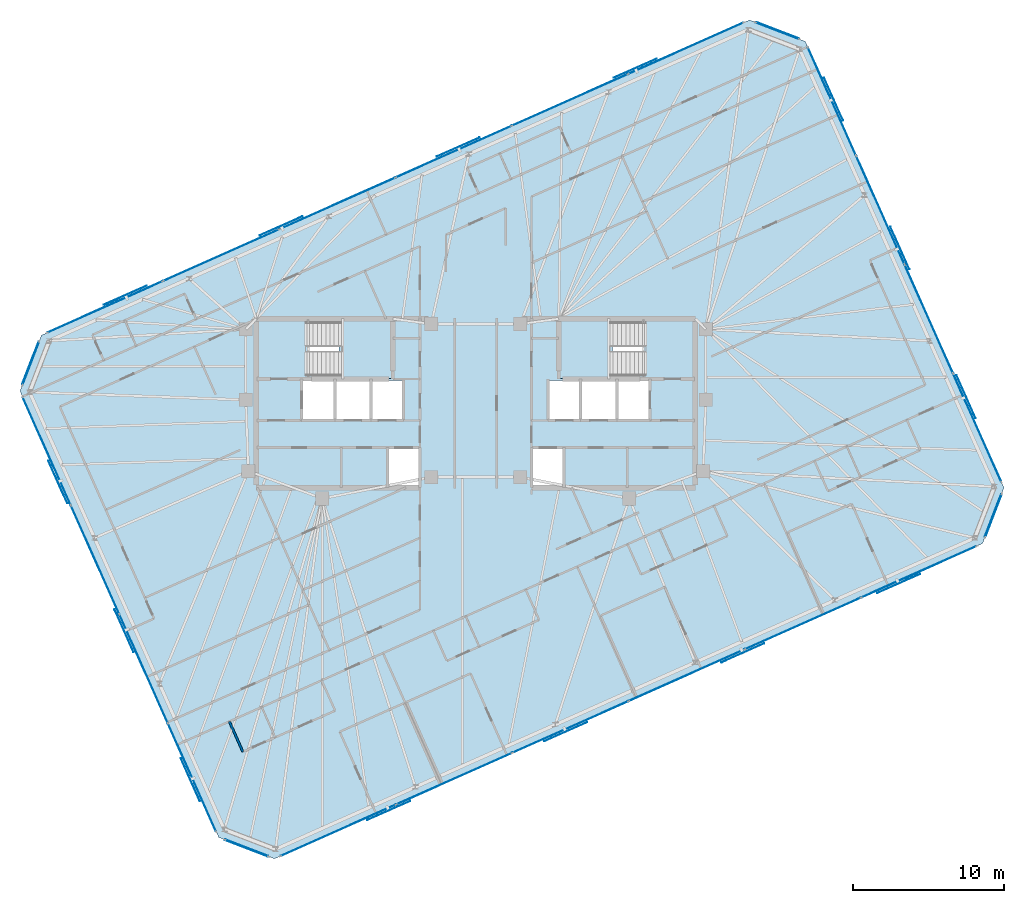
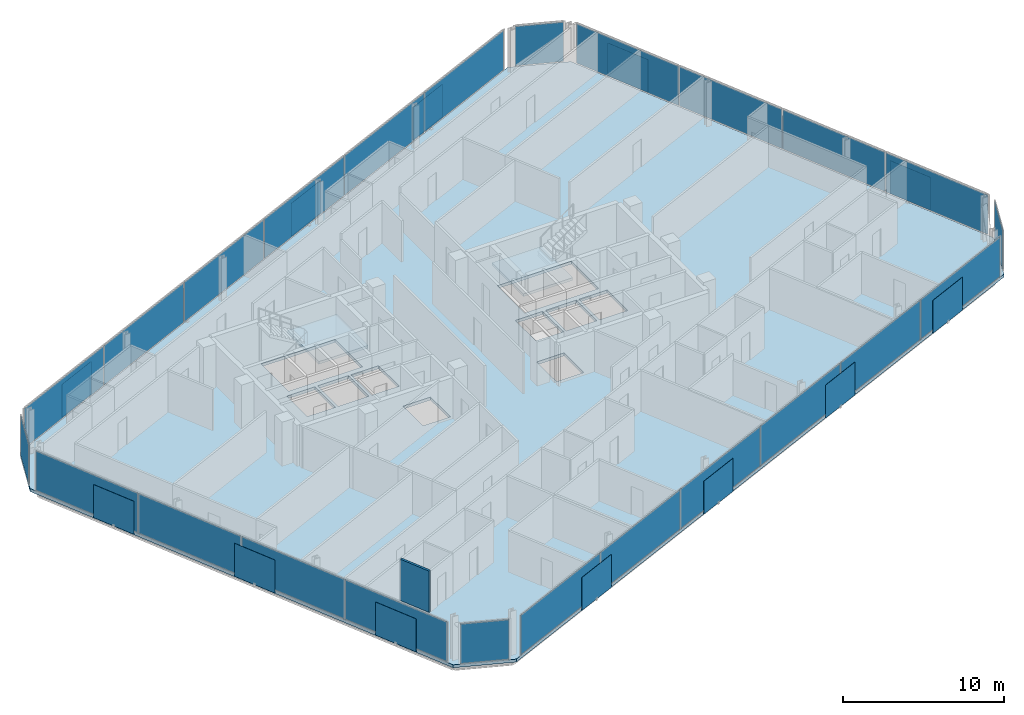
# One storey, part 12 of 19: 38 plates, 3 slabs, 1 wall, 10 elements without a shape of their own.
"""IFC4 building model written with IfcOpenShell, lengths in metres."""

from ifc_helpers import new_model, si_unit, direction, frame, frame_2d, origin, origin_2d, place, context, subcontext, project, spatial, polyline, rectangle, outline, extrude, material, layer, layer_set, type_object, element, aggregate, save


model = new_model("IFC4")

# Units and contexts
model_context = context("Model", 3, precision=1e-05, world=origin(), true_north=direction((0.0, 1.0)))
body_context = subcontext(model_context, "Body", "Model", "MODEL_VIEW")
ifc_project = project(units=[si_unit("LENGTHUNIT", "METRE"), si_unit("AREAUNIT", "SQUARE_METRE"), si_unit("VOLUMEUNIT", "CUBIC_METRE"), si_unit("PLANEANGLEUNIT", "RADIAN"), si_unit("MASSUNIT", "GRAM", prefix="KILO")], contexts=[model_context])

# Site, building, storey
site_placement = place(None, origin())
site = spatial("IfcSite", under=ifc_project, at=site_placement, CompositionType="ELEMENT")
building_placement = place(site_placement, origin())
building = spatial("IfcBuilding", under=site, at=building_placement, Name="Menara Jurai Vektor", CompositionType="ELEMENT")
storey_placement = place(building_placement, frame((0.0, 0.0, 295.300048828125)))
storey = spatial("IfcBuildingStorey", under=building, at=storey_placement, Name="L79", CompositionType="ELEMENT", Elevation=295.300048828125)

# Curtain wall, plates
ifc_material_1 = material(Name="Anodised Pale Aluminium & Low-E Double Glazing", Category="aluminium")
curtain_wall_type = type_object("IfcCurtainWallType", Name="CW-BLK5", PredefinedType="NOTDEFINED", material=ifc_material_1)
curtain_wall_1_placement = place(storey_placement, origin())
curtain_wall_1 = element("IfcCurtainWall", 1, at=curtain_wall_1_placement, inside=storey, type_object=curtain_wall_type, Name="Unitised Curtain Wall L79 F01", PredefinedType="NOTDEFINED")
ifc_material_2 = material(Name="Low-E Solar-Control Double Glazed Unit", Category="glass")
ifc_layer_1 = layer(ifc_material_2, 0.028076171875)
ifc_layer_set_1 = layer_set([ifc_layer_1], Name="Low-E Solar-Control Double Glazed Unit")
plate_type_1 = type_object("IfcPlateType", Name="CW-BLK5-PNL", PredefinedType="CURTAIN_PANEL", material=ifc_layer_set_1)
plate_1_placement = place(storey_placement, frame((-9.130615234375, -28.331787109375, 0.074951171875), z_axis=(0.0, 0.0, 1.0), x_axis=(0.913545967158, 0.406735498684, 0.0)))
plate_1 = element("IfcPlate", 2, at=plate_1_placement, type_object=plate_type_1, Name="CW-05 panel 1.1", PredefinedType="CURTAIN_PANEL", context=body_context, shape_type="SweptSolid", body=[
    extrude(rectangle(XDim=8.327392578125, YDim=0.028076171875, at=origin_2d()), origin(), (0.0, 0.0, 1.0), 2.97509765625),
])
plate_2_placement = place(storey_placement, frame((-1.4375, -24.90673828125, 0.074951171875), z_axis=(0.0, 0.0, 1.0), x_axis=(0.913545967158, 0.406735498684, 0.0)))
plate_2 = element("IfcPlate", 3, at=plate_2_placement, type_object=plate_type_1, Name="CW-05 panel 2.1", PredefinedType="CURTAIN_PANEL", context=body_context, shape_type="SweptSolid", body=[
    extrude(rectangle(XDim=8.364990234375, YDim=0.028076171875, at=origin_2d()), origin(), (0.0, 0.0, 1.0), 2.97509765625),
])
plate_3_placement = place(storey_placement, frame((6.27294921875, -21.473876953125, 0.074951171875), z_axis=(0.0, 0.0, 1.0), x_axis=(0.913545967158, 0.406735498684, 0.0)))
plate_3 = element("IfcPlate", 4, at=plate_3_placement, type_object=plate_type_1, Name="CW-05 panel 3.1", PredefinedType="CURTAIN_PANEL", context=body_context, shape_type="SweptSolid", body=[
    extrude(rectangle(XDim=8.364990234375, YDim=0.028076171875, at=origin_2d()), origin(), (0.0, 0.0, 1.0), 2.97509765625),
])
plate_4_placement = place(storey_placement, frame((13.983154296875, -18.041015625, 0.074951171875), z_axis=(0.0, 0.0, 1.0), x_axis=(0.913545967158, 0.406735498684, 0.0)))
plate_4 = element("IfcPlate", 5, at=plate_4_placement, type_object=plate_type_1, Name="CW-05 panel 4.1", PredefinedType="CURTAIN_PANEL", context=body_context, shape_type="SweptSolid", body=[
    extrude(rectangle(XDim=8.364990234375, YDim=0.028076171875, at=origin_2d()), origin(), (0.0, 0.0, 1.0), 2.97509765625),
])
plate_5_placement = place(storey_placement, frame((21.693603515625, -14.608154296875, 0.074951171875), z_axis=(0.0, 0.0, 1.0), x_axis=(0.913545967158, 0.406735498684, 0.0)))
plate_5 = element("IfcPlate", 6, at=plate_5_placement, type_object=plate_type_1, Name="CW-05 panel 5.1", PredefinedType="CURTAIN_PANEL", context=body_context, shape_type="SweptSolid", body=[
    extrude(rectangle(XDim=8.364990234375, YDim=0.028076171875, at=origin_2d()), origin(), (0.0, 0.0, 1.0), 2.97509765625),
])
plate_6_placement = place(storey_placement, frame((29.38671875, -11.182861328125, 0.074951171875), z_axis=(0.0, 0.0, 1.0), x_axis=(0.913545967158, 0.406735498684, 0.0)))
plate_6 = element("IfcPlate", 7, at=plate_6_placement, type_object=plate_type_1, Name="CW-05 panel 6.1", PredefinedType="CURTAIN_PANEL", context=body_context, shape_type="SweptSolid", body=[
    extrude(rectangle(XDim=8.327392578125, YDim=0.028076171875, at=origin_2d()), origin(), (0.0, 0.0, 1.0), 2.97509765625),
])
aggregate(curtain_wall_1, [plate_1, plate_2, plate_3, plate_4, plate_5, plate_6])

curtain_wall_2_placement = place(storey_placement, origin())
curtain_wall_2 = element("IfcCurtainWall", 8, at=curtain_wall_2_placement, inside=storey, type_object=curtain_wall_type, Name="Unitised Curtain Wall L79 F03", PredefinedType="NOTDEFINED")
plate_7_placement = place(storey_placement, frame((33.25439453125, -1.630126953125, 0.074951171875), z_axis=(0.0, 0.0, 1.0), x_axis=(-0.406735138086, 0.913546127706, 0.0)))
plate_7 = element("IfcPlate", 9, at=plate_7_placement, type_object=plate_type_1, Name="CW-05 panel 1.1", PredefinedType="CURTAIN_PANEL", context=body_context, shape_type="SweptSolid", body=[
    extrude(rectangle(XDim=7.797607421875, YDim=0.028076171875, at=origin_2d()), origin(), (0.0, 0.0, 1.0), 2.97509765625),
])
plate_8_placement = place(storey_placement, frame((30.044677734375, 5.578857421875, 0.074951171875), z_axis=(0.0, 0.0, 1.0), x_axis=(-0.406735138086, 0.913546127706, 0.0)))
plate_8 = element("IfcPlate", 10, at=plate_8_placement, type_object=plate_type_1, Name="CW-05 panel 2.1", PredefinedType="CURTAIN_PANEL", context=body_context, shape_type="SweptSolid", body=[
    extrude(rectangle(XDim=7.8349609375, YDim=0.028076171875, at=origin_2d()), origin(), (0.0, 0.0, 1.0), 2.97509765625),
])
plate_9_placement = place(storey_placement, frame((26.827392578125, 12.80517578125, 0.074951171875), z_axis=(0.0, 0.0, 1.0), x_axis=(-0.406735138086, 0.913546127706, 0.0)))
plate_9 = element("IfcPlate", 11, at=plate_9_placement, type_object=plate_type_1, Name="CW-05 panel 3.1", PredefinedType="CURTAIN_PANEL", context=body_context, shape_type="SweptSolid", body=[
    extrude(rectangle(XDim=7.8349609375, YDim=0.028076171875, at=origin_2d()), origin(), (0.0, 0.0, 1.0), 2.97509765625),
])
plate_10_placement = place(storey_placement, frame((23.61767578125, 20.01416015625, 0.074951171875), z_axis=(0.0, 0.0, 1.0), x_axis=(-0.406735138086, 0.913546127706, 0.0)))
plate_10 = element("IfcPlate", 12, at=plate_10_placement, type_object=plate_type_1, Name="CW-05 panel 4.1", PredefinedType="CURTAIN_PANEL", context=body_context, shape_type="SweptSolid", body=[
    extrude(rectangle(XDim=7.797607421875, YDim=0.028076171875, at=origin_2d()), origin(), (0.0, 0.0, 1.0), 2.97509765625),
])
aggregate(curtain_wall_2, [plate_7, plate_8, plate_9, plate_10])

curtain_wall_3_placement = place(storey_placement, origin())
curtain_wall_3 = element("IfcCurtainWall", 13, at=curtain_wall_3_placement, inside=storey, type_object=curtain_wall_type, Name="Unitised Curtain Wall L79 F05", PredefinedType="NOTDEFINED")
plate_11_placement = place(storey_placement, frame((13.9306640625, 23.53173828125, 0.074951171875), z_axis=(0.0, 0.0, 1.0), x_axis=(-0.913545967158, -0.406735498684, 0.0)))
plate_11 = element("IfcPlate", 14, at=plate_11_placement, type_object=plate_type_1, Name="CW-05 panel 1.1", PredefinedType="CURTAIN_PANEL", context=body_context, shape_type="SweptSolid", body=[
    extrude(rectangle(XDim=8.327392578125, YDim=0.028076171875, at=origin_2d()), origin(), (0.0, 0.0, 1.0), 2.97509765625),
])
plate_12_placement = place(storey_placement, frame((6.237548828125, 20.106689453125, 0.074951171875), z_axis=(0.0, 0.0, 1.0), x_axis=(-0.913545967158, -0.406735498684, 0.0)))
plate_12 = element("IfcPlate", 15, at=plate_12_placement, type_object=plate_type_1, Name="CW-05 panel 2.1", PredefinedType="CURTAIN_PANEL", context=body_context, shape_type="SweptSolid", body=[
    extrude(rectangle(XDim=8.364990234375, YDim=0.028076171875, at=origin_2d()), origin(), (0.0, 0.0, 1.0), 2.97509765625),
])
plate_13_placement = place(storey_placement, frame((-1.472900390625, 16.673828125, 0.074951171875), z_axis=(0.0, 0.0, 1.0), x_axis=(-0.913545967158, -0.406735498684, 0.0)))
plate_13 = element("IfcPlate", 16, at=plate_13_placement, type_object=plate_type_1, Name="CW-05 panel 3.1", PredefinedType="CURTAIN_PANEL", context=body_context, shape_type="SweptSolid", body=[
    extrude(rectangle(XDim=8.364990234375, YDim=0.028076171875, at=origin_2d()), origin(), (0.0, 0.0, 1.0), 2.97509765625),
])
plate_14_placement = place(storey_placement, frame((-9.18310546875, 13.240966796875, 0.074951171875), z_axis=(0.0, 0.0, 1.0), x_axis=(-0.913545967158, -0.406735498684, 0.0)))
plate_14 = element("IfcPlate", 17, at=plate_14_placement, type_object=plate_type_1, Name="CW-05 panel 4.1", PredefinedType="CURTAIN_PANEL", context=body_context, shape_type="SweptSolid", body=[
    extrude(rectangle(XDim=8.364990234375, YDim=0.028076171875, at=origin_2d()), origin(), (0.0, 0.0, 1.0), 2.97509765625),
])
plate_15_placement = place(storey_placement, frame((-16.8935546875, 9.80810546875, 0.074951171875), z_axis=(0.0, 0.0, 1.0), x_axis=(-0.913545967158, -0.406735498684, 0.0)))
plate_15 = element("IfcPlate", 18, at=plate_15_placement, type_object=plate_type_1, Name="CW-05 panel 5.1", PredefinedType="CURTAIN_PANEL", context=body_context, shape_type="SweptSolid", body=[
    extrude(rectangle(XDim=8.364990234375, YDim=0.028076171875, at=origin_2d()), origin(), (0.0, 0.0, 1.0), 2.97509765625),
])
plate_16_placement = place(storey_placement, frame((-24.586669921875, 6.3828125, 0.074951171875), z_axis=(0.0, 0.0, 1.0), x_axis=(-0.913545967158, -0.406735498684, 0.0)))
plate_16 = element("IfcPlate", 19, at=plate_16_placement, type_object=plate_type_1, Name="CW-05 panel 6.1", PredefinedType="CURTAIN_PANEL", context=body_context, shape_type="SweptSolid", body=[
    extrude(rectangle(XDim=8.327392578125, YDim=0.028076171875, at=origin_2d()), origin(), (0.0, 0.0, 1.0), 2.97509765625),
])
aggregate(curtain_wall_3, [plate_11, plate_12, plate_13, plate_14, plate_15, plate_16])

curtain_wall_4_placement = place(storey_placement, origin())
curtain_wall_4 = element("IfcCurtainWall", 20, at=curtain_wall_4_placement, inside=storey, type_object=curtain_wall_type, Name="Unitised Curtain Wall L79 F07", PredefinedType="NOTDEFINED")
plate_17_placement = place(storey_placement, frame((-28.454345703125, -3.169921875, 0.074951171875), z_axis=(0.0, 0.0, 1.0), x_axis=(0.406735138086, -0.913546127706, 0.0)))
plate_17 = element("IfcPlate", 21, at=plate_17_placement, type_object=plate_type_1, Name="CW-05 panel 1.1", PredefinedType="CURTAIN_PANEL", context=body_context, shape_type="SweptSolid", body=[
    extrude(rectangle(XDim=7.797607421875, YDim=0.028076171875, at=origin_2d()), origin(), (0.0, 0.0, 1.0), 2.97509765625),
])
plate_18_placement = place(storey_placement, frame((-25.24462890625, -10.37890625, 0.074951171875), z_axis=(0.0, 0.0, 1.0), x_axis=(0.406735138086, -0.913546127706, 0.0)))
plate_18 = element("IfcPlate", 22, at=plate_18_placement, type_object=plate_type_1, Name="CW-05 panel 2.1", PredefinedType="CURTAIN_PANEL", context=body_context, shape_type="SweptSolid", body=[
    extrude(rectangle(XDim=7.8349609375, YDim=0.028076171875, at=origin_2d()), origin(), (0.0, 0.0, 1.0), 2.97509765625),
])
plate_19_placement = place(storey_placement, frame((-22.02734375, -17.60498046875, 0.074951171875), z_axis=(0.0, 0.0, 1.0), x_axis=(0.406735138086, -0.913546127706, 0.0)))
plate_19 = element("IfcPlate", 23, at=plate_19_placement, type_object=plate_type_1, Name="CW-05 panel 3.1", PredefinedType="CURTAIN_PANEL", context=body_context, shape_type="SweptSolid", body=[
    extrude(rectangle(XDim=7.8349609375, YDim=0.028076171875, at=origin_2d()), origin(), (0.0, 0.0, 1.0), 2.97509765625),
])
plate_20_placement = place(storey_placement, frame((-18.81787109375, -24.814208984375, 0.074951171875), z_axis=(0.0, 0.0, 1.0), x_axis=(0.406735138086, -0.913546127706, 0.0)))
plate_20 = element("IfcPlate", 24, at=plate_20_placement, type_object=plate_type_1, Name="CW-05 panel 4.1", PredefinedType="CURTAIN_PANEL", context=body_context, shape_type="SweptSolid", body=[
    extrude(rectangle(XDim=7.797607421875, YDim=0.028076171875, at=origin_2d()), origin(), (0.0, 0.0, 1.0), 2.97509765625),
])
aggregate(curtain_wall_4, [plate_17, plate_18, plate_19, plate_20])

# Curtain wall, plate
curtain_wall_5_placement = place(storey_placement, origin())
curtain_wall_5 = element("IfcCurtainWall", 25, at=curtain_wall_5_placement, inside=storey, type_object=curtain_wall_type, Name="Unitised Curtain Wall L79 F02", PredefinedType="NOTDEFINED")
ifc_material_3 = material(Name="Insulated Pale Aluminium Spandrel Panel", Category="aluminium")
ifc_layer_2 = layer(ifc_material_3, 0.06005859375)
ifc_layer_set_2 = layer_set([ifc_layer_2], Name="Insulated Pale Aluminium Spandrel Panel")
plate_type_2 = type_object("IfcPlateType", Name="CW-PNL-SP", PredefinedType="CURTAIN_PANEL", material=ifc_layer_set_2)
plate_21_placement = place(storey_placement, frame((34.315673828125, -7.455810546875, 0.074951171875), z_axis=(0.0, 0.0, 1.0), x_axis=(0.358373766287, 0.933578193639, 0.0)))
plate_21 = element("IfcPlate", 26, at=plate_21_placement, type_object=plate_type_2, Name="CW-05 panel 1.1", PredefinedType="CURTAIN_PANEL", context=body_context, shape_type="SweptSolid", body=[
    extrude(rectangle(XDim=3.0498046875, YDim=0.06005859375, at=origin_2d()), origin(), (0.0, 0.0, 1.0), 2.97509765625),
])
aggregate(curtain_wall_5, [plate_21])

curtain_wall_6_placement = place(storey_placement, origin())
curtain_wall_6 = element("IfcCurtainWall", 27, at=curtain_wall_6_placement, inside=storey, type_object=curtain_wall_type, Name="Unitised Curtain Wall L79 F04", PredefinedType="NOTDEFINED")
plate_22_placement = place(storey_placement, frame((19.99853515625, 24.700927734375, 0.074951171875), z_axis=(0.0, 0.0, 1.0), x_axis=(-0.933578193639, 0.358373766287, 0.0)))
plate_22 = element("IfcPlate", 28, at=plate_22_placement, type_object=plate_type_2, Name="CW-05 panel 1.1", PredefinedType="CURTAIN_PANEL", context=body_context, shape_type="SweptSolid", body=[
    extrude(rectangle(XDim=3.0498046875, YDim=0.06005859375, at=origin_2d()), origin(), (0.0, 0.0, 1.0), 2.97509765625),
])
aggregate(curtain_wall_6, [plate_22])

curtain_wall_7_placement = place(storey_placement, origin())
curtain_wall_7 = element("IfcCurtainWall", 29, at=curtain_wall_7_placement, inside=storey, type_object=curtain_wall_type, Name="Unitised Curtain Wall L79 F06", PredefinedType="NOTDEFINED")
plate_23_placement = place(storey_placement, frame((-29.515625, 2.65576171875, 0.074951171875), z_axis=(0.0, 0.0, 1.0), x_axis=(-0.358373766287, -0.933578193639, 0.0)))
plate_23 = element("IfcPlate", 30, at=plate_23_placement, type_object=plate_type_2, Name="CW-05 panel 1.1", PredefinedType="CURTAIN_PANEL", context=body_context, shape_type="SweptSolid", body=[
    extrude(rectangle(XDim=3.0498046875, YDim=0.06005859375, at=origin_2d()), origin(), (0.0, 0.0, 1.0), 2.97509765625),
])
aggregate(curtain_wall_7, [plate_23])

curtain_wall_8_placement = place(storey_placement, origin())
curtain_wall_8 = element("IfcCurtainWall", 31, at=curtain_wall_8_placement, inside=storey, type_object=curtain_wall_type, Name="Unitised Curtain Wall L79 F08", PredefinedType="NOTDEFINED")
plate_24_placement = place(storey_placement, frame((-15.198486328125, -29.5009765625, 0.074951171875), z_axis=(0.0, 0.0, 1.0), x_axis=(0.933578193639, -0.358373766287, 0.0)))
plate_24 = element("IfcPlate", 32, at=plate_24_placement, type_object=plate_type_2, Name="CW-05 panel 1.1", PredefinedType="CURTAIN_PANEL", context=body_context, shape_type="SweptSolid", body=[
    extrude(rectangle(XDim=3.0498046875, YDim=0.06005859375, at=origin_2d()), origin(), (0.0, 0.0, 1.0), 2.97509765625),
])
aggregate(curtain_wall_8, [plate_24])

# Plates
ifc_material_4 = material(Name="Anodised Pale Aluminium Perforated Screen", Category="aluminium")
ifc_layer_3 = layer(ifc_material_4, 0.02197265625)
ifc_layer_set_3 = layer_set([ifc_layer_3], Name="Anodised Pale Aluminium Perforated Screen")
plate_type_3 = type_object("IfcPlateType", Name="ENV-PLT-SCREEN-HI", PredefinedType="USERDEFINED", material=ifc_layer_set_3)
for number, where, z_axis, x_axis, name in (
    (33, (-5.77197265625, -27.01171875, -0.050048828125), (0.0, 0.0, 1.0), (0.913545457643, 0.406736643076, 0.0), "Perforated Pale-Metal Solar Screen L79-S01"),
    (34, (5.967041015625, -21.78515625, -0.050048828125), (0.0, 0.0, 1.0), (0.913545457643, 0.406736643076, 0.0), "Perforated Pale-Metal Solar Screen L79-S02"),
    (35, (17.7060546875, -16.55859375, -0.050048828125), (0.0, 0.0, 1.0), (0.913545457643, 0.406736643076, 0.0), "Perforated Pale-Metal Solar Screen L79-S03"),
    (36, (28.036376953125, -11.958984375, -0.050048828125), (0.0, 0.0, 1.0), (0.913545457643, 0.406736643076, 0.0), "Perforated Pale-Metal Solar Screen L79-S04"),
    (37, (32.513671875, 0.4267578125, -0.050048828125), (0.0, 0.0, 1.0), (-0.406736643076, 0.913545457643, 0.0), "Perforated Pale-Metal Solar Screen L79-S05"),
    (38, (28.12109375, 10.29296875, -0.050048828125), (0.0, 0.0, 1.0), (-0.406736643076, 0.913545457643, 0.0), "Perforated Pale-Metal Solar Screen L79-S06"),
    (39, (23.728271484375, 20.1591796875, -0.050048828125), (0.0, 0.0, 1.0), (-0.406736643076, 0.913545457643, 0.0), "Perforated Pale-Metal Solar Screen L79-S07"),
    (40, (10.572021484375, 22.211669921875, -0.050048828125), (0.0, 0.0, 1.0), (-0.913545457643, -0.406736643076, 0.0), "Perforated Pale-Metal Solar Screen L79-S08"),
    (41, (-1.1669921875, 16.985107421875, -0.050048828125), (0.0, 0.0, 1.0), (-0.913545457643, -0.406736643076, 0.0), "Perforated Pale-Metal Solar Screen L79-S09"),
    (42, (-12.906005859375, 11.758544921875, -0.050048828125), (0.0, 0.0, 1.0), (-0.913545457643, -0.406736643076, 0.0), "Perforated Pale-Metal Solar Screen L79-S10"),
    (43, (-23.236328125, 7.1591796875, -0.050048828125), (0.0, 0.0, 1.0), (-0.913545457643, -0.406736643076, 0.0), "Perforated Pale-Metal Solar Screen L79-S11"),
    (44, (-27.713623046875, -5.226806640625, -0.050048828125), (0.0, 0.0, 1.0), (0.406736643076, -0.913545457643, 0.0), "Perforated Pale-Metal Solar Screen L79-S12"),
    (45, (-23.321044921875, -15.093017578125, -0.050048828125), (0.0, 0.0, 1.0), (0.406736643076, -0.913545457643, 0.0), "Perforated Pale-Metal Solar Screen L79-S13"),
    (46, (-18.92822265625, -24.959228515625, -0.050048828125), (0.0, 0.0, 1.0), (0.406736643076, -0.913545457643, 0.0), "Perforated Pale-Metal Solar Screen L79-S14"),
):
    element("IfcPlate", number, at=place(storey_placement, frame(where, z_axis=z_axis, x_axis=x_axis)), inside=storey, type_object=plate_type_3, Name=name, ObjectType="SCREEN", PredefinedType="USERDEFINED", context=body_context, shape_type="SweptSolid", body=[
        extrude(rectangle(XDim=3.10009765625, YDim=0.02197265625, at=origin_2d()), origin(), (0.0, 0.0, 1.0), 2.5),
    ])

# Stair, slab
ifc_material_5 = material(Name="Concrete C40/50", Category="concrete")
stair_type = type_object("IfcStairType", Name="STAIR-DOGLEG-1500", PredefinedType="HALF_TURN_STAIR", material=ifc_material_5)
stair_1_placement = place(storey_placement, origin())
stair_1 = element("IfcStair", 47, at=stair_1_placement, inside=storey, type_object=stair_type, Name="Protected Exit Stair ST1 L79", PredefinedType="HALF_TURN_STAIR")
ifc_layer_4 = layer(ifc_material_5, 0.199951171875)
ifc_layer_set_4 = layer_set([ifc_layer_4], Name="Concrete C40/50")
slab_type_1 = type_object("IfcSlabType", Name="STAIR-LANDING-200", PredefinedType="LANDING", material=ifc_layer_set_4)
slab_1_placement = place(storey_placement, frame((0.0, 0.0, 1.474853515625)))
slab_1 = element("IfcSlab", 48, at=slab_1_placement, type_object=slab_type_1, Name="ST1 landing 1", PredefinedType="LANDING", context=body_context, shape_type="SweptSolid", body=[
    extrude(outline(polyline([(-9.080078125, 1.64990234375), (-5.550048828125, 1.64990234375), (-5.550048828125, 5.550048828125), (-9.080078125, 5.550048828125), (-9.080078125, 1.64990234375)])), origin(), (0.0, 0.0, 1.0), 0.2001953125),
])
aggregate(stair_1, [slab_1])

stair_2_placement = place(storey_placement, origin())
stair_2 = element("IfcStair", 49, at=stair_2_placement, inside=storey, type_object=stair_type, Name="Protected Exit Stair ST2 L79", PredefinedType="HALF_TURN_STAIR")
slab_2_placement = place(storey_placement, frame((0.0, 0.0, 1.474853515625)))
slab_2 = element("IfcSlab", 50, at=slab_2_placement, type_object=slab_type_1, Name="ST2 landing 1", PredefinedType="LANDING", context=body_context, shape_type="SweptSolid", body=[
    extrude(outline(polyline([(5.550048828125, 1.64990234375), (9.080078125, 1.64990234375), (9.080078125, 5.550048828125), (5.550048828125, 5.550048828125), (5.550048828125, 1.64990234375)])), origin(), (0.0, 0.0, 1.0), 0.2001953125),
])
aggregate(stair_2, [slab_2])

# Slab
ifc_layer_5 = layer(ifc_material_5, 0.22509765625)
ifc_layer_set_5 = layer_set([ifc_layer_5], Name="Concrete C40/50")
slab_type_2 = type_object("IfcSlabType", Name="STR-SLAB-TYP200", PredefinedType="FLOOR", material=ifc_layer_set_5)
slab_3_placement = place(storey_placement, frame((0.0, 0.0, -0.22509765625)))
element("IfcSlab", 51, at=slab_3_placement, inside=storey, type_object=slab_type_2, Name="Composite Floor Slab L79", PredefinedType="FLOOR", context=body_context, shape_type="SweptSolid", body=[
    extrude(outline(polyline([(-13.35009765625, -30.21044921875), (33.606201171875, -9.30419921875), (35.025146484375, -5.607421875), (21.846923828125, 23.991455078125), (18.150146484375, 25.410400390625), (-28.80615234375, 4.504150390625), (-30.22509765625, 0.807373046875), (-17.046875, -28.79150390625), (-13.35009765625, -30.21044921875)]), holes=[polyline([(-11.10009765625, 1.89990234375), (-11.10009765625, 5.300048828125), (-5.800048828125, 5.300048828125), (-5.800048828125, 1.89990234375), (-11.10009765625, 1.89990234375)]), polyline([(5.800048828125, 1.89990234375), (5.800048828125, 5.300048828125), (11.10009765625, 5.300048828125), (11.10009765625, 1.89990234375), (5.800048828125, 1.89990234375)]), polyline([(-11.449951171875, -1.050048828125), (-11.449951171875, 1.5), (-9.449951171875, 1.5), (-9.449951171875, -1.050048828125), (-11.449951171875, -1.050048828125)]), polyline([(9.449951171875, -1.050048828125), (9.449951171875, 1.5), (11.449951171875, 1.5), (11.449951171875, -1.050048828125), (9.449951171875, -1.050048828125)]), polyline([(-5.760009765625, -5.5), (-5.760009765625, -3.050048828125), (-3.800048828125, -3.050048828125), (-3.800048828125, -5.5), (-5.760009765625, -5.5)]), polyline([(-6.85009765625, -1.050048828125), (-6.85009765625, 1.5), (-4.889892578125, 1.5), (-4.889892578125, -1.050048828125), (-6.85009765625, -1.050048828125)]), polyline([(3.800048828125, -5.5), (3.800048828125, -3.050048828125), (5.760009765625, -3.050048828125), (5.760009765625, -5.5), (3.800048828125, -5.5)]), polyline([(4.889892578125, -1.050048828125), (4.889892578125, 1.5), (6.85009765625, 1.5), (6.85009765625, -1.050048828125), (4.889892578125, -1.050048828125)]), polyline([(-9.25, -1.050048828125), (-9.25, 1.5), (-7.050048828125, 1.5), (-7.050048828125, -1.050048828125), (-9.25, -1.050048828125)]), polyline([(7.050048828125, -1.050048828125), (7.050048828125, 1.5), (9.25, 1.5), (9.25, -1.050048828125), (7.050048828125, -1.050048828125)])]), origin(), (0.0, 0.0, 1.0), 0.22509765625),
])

# Wall
ifc_material_6 = material(Name="Gypsum Fireboard Partition", Category="gypsum")
ifc_layer_6 = layer(ifc_material_6, 0.14990234375)
ifc_layer_set_6 = layer_set([ifc_layer_6], Name="Gypsum Fireboard Partition")
wall_type = type_object("IfcWallType", Name="INT-WALL-CORR-150", PredefinedType="PARTITIONING", material=ifc_layer_set_6)
wall_placement = place(storey_placement, frame((-15.447509765625, -23.114990234375, 0.0), z_axis=(0.0, 0.0, 1.0), x_axis=(-0.406725294076, 0.913550510459, 0.0)))
element("IfcWall", 52, at=wall_placement, inside=storey, type_object=wall_type, Name="Interior Wall IW-150 L79", PredefinedType="PARTITIONING", context=body_context, shape_type="SweptSolid", body=[
    extrude(rectangle(XDim=2.199951171875, YDim=0.14990234375, at=frame_2d((1.10009765625, 0.0))), origin(), (0.0, 0.0, 1.0), 3.125),
])

save(model, "model.ifc")
